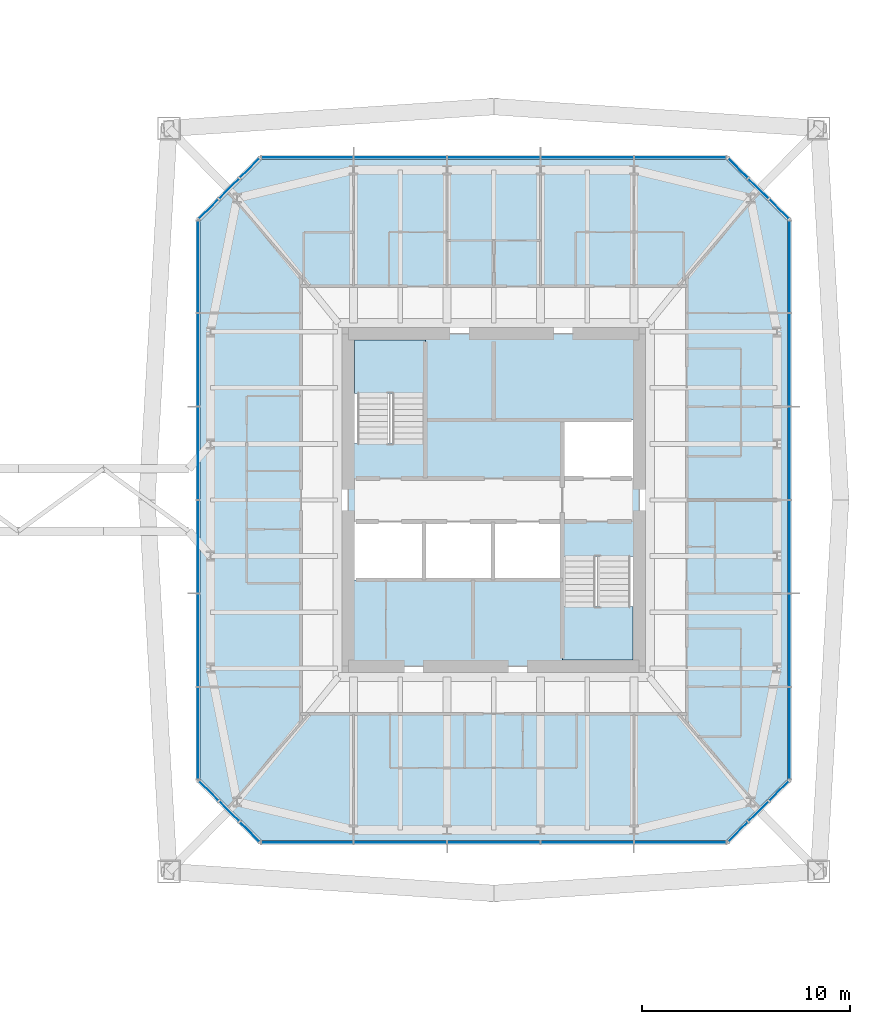
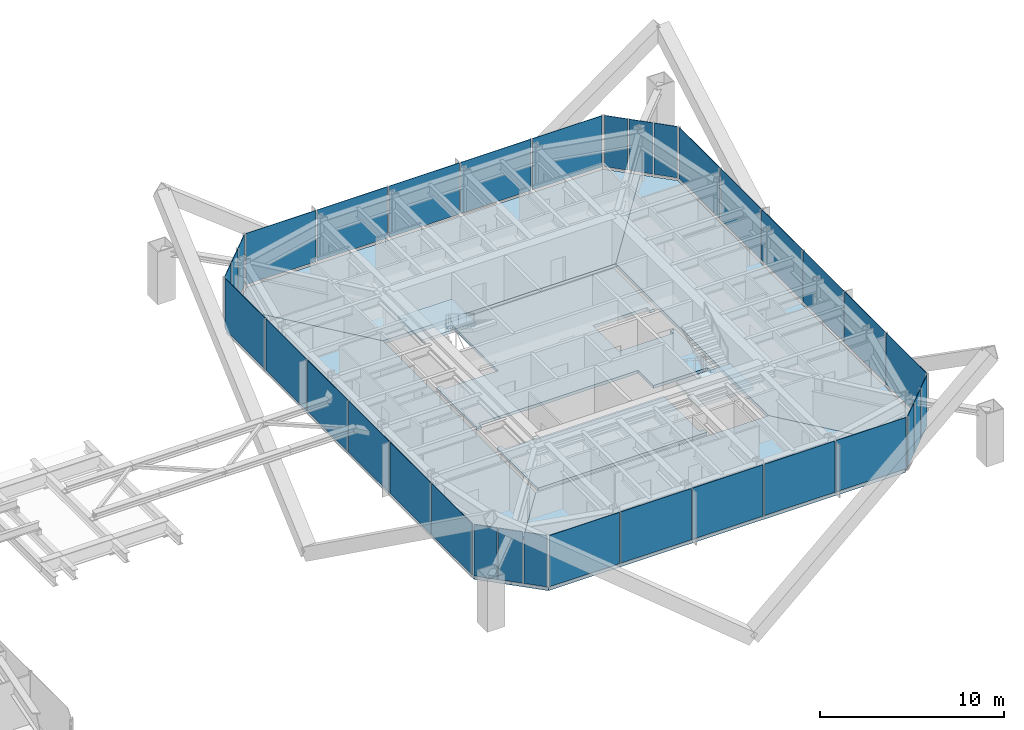
# One storey, part 14 of 27: 34 plates, 8 slabs, 10 elements without a shape of their own.
"""IFC4 building model written with IfcOpenShell, lengths in metres."""

from ifc_helpers import new_model, si_unit, direction, frame, origin, origin_2d, place, context, subcontext, project, spatial, polyline, rectangle, outline, extrude, material, layer, layer_set, constituent, constituent_set, type_object, element, aggregate, save


model = new_model("IFC4")

# Units and contexts
model_context = context("Model", 3, precision=1e-05, world=origin(), true_north=direction((0.0, 1.0)))
body_context = subcontext(model_context, "Body", "Model", "MODEL_VIEW")
ifc_project = project(units=[si_unit("LENGTHUNIT", "METRE"), si_unit("AREAUNIT", "SQUARE_METRE"), si_unit("VOLUMEUNIT", "CUBIC_METRE"), si_unit("PLANEANGLEUNIT", "RADIAN"), si_unit("MASSUNIT", "GRAM", prefix="KILO")], contexts=[model_context])

# Site, building, storey
site_placement = place(None, origin())
site = spatial("IfcSite", under=ifc_project, at=site_placement, CompositionType="ELEMENT")
building_placement = place(site_placement, origin())
building = spatial("IfcBuilding", under=site, at=building_placement, Name="Iwan Alto Co-Living Towers", CompositionType="ELEMENT")
storey_placement = place(building_placement, frame((0.0, 0.0, 94.5)))
storey = spatial("IfcBuildingStorey", under=building, at=storey_placement, Name="L25", CompositionType="ELEMENT", Elevation=94.5)

# Slabs
ifc_material_1 = material(Name="Concrete f'c 30 MPa", Category="concrete")
ifc_layer_1 = layer(ifc_material_1, 0.199951171875)
ifc_layer_set_1 = layer_set([ifc_layer_1], Name="CORE FLOOR SLAB 200")
slab_type_1 = type_object("IfcSlabType", Name="CORE FLOOR SLAB 200", PredefinedType="FLOOR", material=ifc_layer_set_1)
slab_1_placement = place(storey_placement, frame((0.0, 0.0, -0.199951171875)))
element("IfcSlab", 1, at=slab_1_placement, inside=storey, type_object=slab_type_1, Name="T2 core floor L25", PredefinedType="FLOOR", context=body_context, shape_type="SweptSolid", body=[
    extrude(outline(polyline([(70.0, -3.030029296875), (69.699951171875, -3.030029296875), (69.699951171875, -2.719970703125), (66.300048828125, -2.719970703125), (66.300048828125, -1.050048828125), (62.967041015625, -1.050048828125), (59.633056640625, -1.050048828125), (56.300048828125, -1.050048828125), (56.300048828125, -1.360107421875), (56.0, -1.360107421875), (56.0, 3.030029296875), (56.300048828125, 3.030029296875), (56.300048828125, 2.719970703125), (59.699951171875, 2.719970703125), (59.699951171875, 7.699951171875), (59.389892578125, 7.699951171875), (59.389892578125, 8.0), (70.0, 8.0), (70.0, 3.5400390625), (69.699951171875, 3.5400390625), (69.699951171875, 3.85009765625), (66.300048828125, 3.85009765625), (66.300048828125, 1.050048828125), (69.699951171875, 1.050048828125), (69.699951171875, 1.360107421875), (70.0, 1.360107421875), (70.0, -3.030029296875)])), origin(), (0.0, 0.0, 1.0), 0.199951171875),
])
slab_2_placement = place(storey_placement, frame((0.0, 0.0, -0.199951171875)))
element("IfcSlab", 2, at=slab_2_placement, inside=storey, type_object=slab_type_1, Name="T2 core floor L25", PredefinedType="FLOOR", context=body_context, shape_type="SweptSolid", body=[
    extrude(outline(polyline([(62.967041015625, -3.85009765625), (66.300048828125, -3.85009765625), (66.300048828125, -7.699951171875), (66.610107421875, -7.699951171875), (66.610107421875, -8.0), (56.0, -8.0), (56.0, -3.5400390625), (56.300048828125, -3.5400390625), (56.300048828125, -3.85009765625), (59.633056640625, -3.85009765625), (62.967041015625, -3.85009765625)])), origin(), (0.0, 0.0, 1.0), 0.199951171875),
])

# Curtain wall, plates
ifc_material_2 = material(Name="Bronze aluminium unitised frame", Category="aluminium")
curtain_wall_type_1 = type_object("IfcCurtainWallType", Name="CURTAIN WALL CW-C", PredefinedType="NOTDEFINED", material=ifc_material_2)
curtain_wall_1_placement = place(storey_placement, origin())
curtain_wall_1 = element("IfcCurtainWall", 3, at=curtain_wall_1_placement, inside=storey, type_object=curtain_wall_type_1, Name="T2 curtain wall S L25", PredefinedType="NOTDEFINED")
ifc_material_3 = material(Name="Bronze-tinted insulating glass", Category="glass")
ifc_layer_2 = layer(ifc_material_3, 0.031982421875)
ifc_layer_set_2 = layer_set([ifc_layer_2], Name="CW-C PANEL TINTED IGU 32")
plate_type_1 = type_object("IfcPlateType", Name="CW-C PANEL TINTED IGU 32", PredefinedType="CURTAIN_PANEL", material=ifc_layer_set_2)
plate_1_placement = place(storey_placement, frame((58.5, -16.5, 0.10009765625), z_axis=(0.0, 0.0, 1.0), x_axis=(1.0, 0.0, 0.0)))
plate_1 = element("IfcPlate", 4, at=plate_1_placement, type_object=plate_type_1, Name="CW-C panel 2.1", PredefinedType="CURTAIN_PANEL", context=body_context, shape_type="SweptSolid", body=[
    extrude(rectangle(XDim=4.419921875, YDim=0.031982421875, at=origin_2d()), origin(), (0.0, 0.0, 1.0), 3.39990234375),
])
plate_2_placement = place(storey_placement, frame((63.0, -16.5, 0.10009765625), z_axis=(0.0, 0.0, 1.0), x_axis=(1.0, 0.0, 0.0)))
plate_2 = element("IfcPlate", 5, at=plate_2_placement, type_object=plate_type_1, Name="CW-C panel 3.1", PredefinedType="CURTAIN_PANEL", context=body_context, shape_type="SweptSolid", body=[
    extrude(rectangle(XDim=4.419921875, YDim=0.031982421875, at=origin_2d()), origin(), (0.0, 0.0, 1.0), 3.39990234375),
])
plate_3_placement = place(storey_placement, frame((67.5, -16.5, 0.10009765625), z_axis=(0.0, 0.0, 1.0), x_axis=(1.0, 0.0, 0.0)))
plate_3 = element("IfcPlate", 6, at=plate_3_placement, type_object=plate_type_1, Name="CW-C panel 4.1", PredefinedType="CURTAIN_PANEL", context=body_context, shape_type="SweptSolid", body=[
    extrude(rectangle(XDim=4.419921875, YDim=0.031982421875, at=origin_2d()), origin(), (0.0, 0.0, 1.0), 3.39990234375),
])

curtain_wall_2_placement = place(storey_placement, origin())
curtain_wall_2 = element("IfcCurtainWall", 7, at=curtain_wall_2_placement, inside=storey, type_object=curtain_wall_type_1, Name="T2 curtain wall E L25", PredefinedType="NOTDEFINED")
plate_4_placement = place(storey_placement, frame((77.25, -6.75, 0.10009765625), z_axis=(0.0, 0.0, 1.0), x_axis=(0.0, 1.0, 0.0)))
plate_4 = element("IfcPlate", 8, at=plate_4_placement, type_object=plate_type_1, Name="CW-C panel 2.1", PredefinedType="CURTAIN_PANEL", context=body_context, shape_type="SweptSolid", body=[
    extrude(rectangle(XDim=4.419921875, YDim=0.031982421875, at=origin_2d()), origin(), (0.0, 0.0, 1.0), 3.39990234375),
])
plate_5_placement = place(storey_placement, frame((77.25, -2.25, 0.10009765625), z_axis=(0.0, 0.0, 1.0), x_axis=(0.0, 1.0, 0.0)))
plate_5 = element("IfcPlate", 9, at=plate_5_placement, type_object=plate_type_1, Name="CW-C panel 3.1", PredefinedType="CURTAIN_PANEL", context=body_context, shape_type="SweptSolid", body=[
    extrude(rectangle(XDim=4.419921875, YDim=0.031982421875, at=origin_2d()), origin(), (0.0, 0.0, 1.0), 3.39990234375),
])
plate_6_placement = place(storey_placement, frame((77.25, 2.25, 0.10009765625), z_axis=(0.0, 0.0, 1.0), x_axis=(0.0, 1.0, 0.0)))
plate_6 = element("IfcPlate", 10, at=plate_6_placement, type_object=plate_type_1, Name="CW-C panel 4.1", PredefinedType="CURTAIN_PANEL", context=body_context, shape_type="SweptSolid", body=[
    extrude(rectangle(XDim=4.419921875, YDim=0.031982421875, at=origin_2d()), origin(), (0.0, 0.0, 1.0), 3.39990234375),
])
plate_7_placement = place(storey_placement, frame((77.25, 6.75, 0.10009765625), z_axis=(0.0, 0.0, 1.0), x_axis=(0.0, 1.0, 0.0)))
plate_7 = element("IfcPlate", 11, at=plate_7_placement, type_object=plate_type_1, Name="CW-C panel 5.1", PredefinedType="CURTAIN_PANEL", context=body_context, shape_type="SweptSolid", body=[
    extrude(rectangle(XDim=4.419921875, YDim=0.031982421875, at=origin_2d()), origin(), (0.0, 0.0, 1.0), 3.39990234375),
])

curtain_wall_3_placement = place(storey_placement, origin())
curtain_wall_3 = element("IfcCurtainWall", 12, at=curtain_wall_3_placement, inside=storey, type_object=curtain_wall_type_1, Name="T2 curtain wall N L25", PredefinedType="NOTDEFINED")
plate_8_placement = place(storey_placement, frame((67.5, 16.5, 0.10009765625), z_axis=(0.0, 0.0, 1.0), x_axis=(-1.0, 0.0, 0.0)))
plate_8 = element("IfcPlate", 13, at=plate_8_placement, type_object=plate_type_1, Name="CW-C panel 2.1", PredefinedType="CURTAIN_PANEL", context=body_context, shape_type="SweptSolid", body=[
    extrude(rectangle(XDim=4.419921875, YDim=0.031982421875, at=origin_2d()), origin(), (0.0, 0.0, 1.0), 3.39990234375),
])
plate_9_placement = place(storey_placement, frame((63.0, 16.5, 0.10009765625), z_axis=(0.0, 0.0, 1.0), x_axis=(-1.0, 0.0, 0.0)))
plate_9 = element("IfcPlate", 14, at=plate_9_placement, type_object=plate_type_1, Name="CW-C panel 3.1", PredefinedType="CURTAIN_PANEL", context=body_context, shape_type="SweptSolid", body=[
    extrude(rectangle(XDim=4.419921875, YDim=0.031982421875, at=origin_2d()), origin(), (0.0, 0.0, 1.0), 3.39990234375),
])
plate_10_placement = place(storey_placement, frame((58.5, 16.5, 0.10009765625), z_axis=(0.0, 0.0, 1.0), x_axis=(-1.0, 0.0, 0.0)))
plate_10 = element("IfcPlate", 15, at=plate_10_placement, type_object=plate_type_1, Name="CW-C panel 4.1", PredefinedType="CURTAIN_PANEL", context=body_context, shape_type="SweptSolid", body=[
    extrude(rectangle(XDim=4.419921875, YDim=0.031982421875, at=origin_2d()), origin(), (0.0, 0.0, 1.0), 3.39990234375),
])

curtain_wall_4_placement = place(storey_placement, origin())
curtain_wall_4 = element("IfcCurtainWall", 16, at=curtain_wall_4_placement, inside=storey, type_object=curtain_wall_type_1, Name="T2 curtain wall W L25", PredefinedType="NOTDEFINED")
plate_11_placement = place(storey_placement, frame((48.75, 6.75, 0.10009765625), z_axis=(0.0, 0.0, 1.0), x_axis=(0.0, -1.0, 0.0)))
plate_11 = element("IfcPlate", 17, at=plate_11_placement, type_object=plate_type_1, Name="CW-C panel 2.1", PredefinedType="CURTAIN_PANEL", context=body_context, shape_type="SweptSolid", body=[
    extrude(rectangle(XDim=4.419921875, YDim=0.031982421875, at=origin_2d()), origin(), (0.0, 0.0, 1.0), 3.39990234375),
])
plate_12_placement = place(storey_placement, frame((48.75, 2.25, 0.10009765625), z_axis=(0.0, 0.0, 1.0), x_axis=(0.0, -1.0, 0.0)))
plate_12 = element("IfcPlate", 18, at=plate_12_placement, type_object=plate_type_1, Name="CW-C panel 3.1", PredefinedType="CURTAIN_PANEL", context=body_context, shape_type="SweptSolid", body=[
    extrude(rectangle(XDim=4.419921875, YDim=0.031982421875, at=origin_2d()), origin(), (0.0, 0.0, 1.0), 3.39990234375),
])
plate_13_placement = place(storey_placement, frame((48.75, -2.25, 0.10009765625), z_axis=(0.0, 0.0, 1.0), x_axis=(0.0, -1.0, 0.0)))
plate_13 = element("IfcPlate", 19, at=plate_13_placement, type_object=plate_type_1, Name="CW-C panel 4.1", PredefinedType="CURTAIN_PANEL", context=body_context, shape_type="SweptSolid", body=[
    extrude(rectangle(XDim=4.419921875, YDim=0.031982421875, at=origin_2d()), origin(), (0.0, 0.0, 1.0), 3.39990234375),
])
plate_14_placement = place(storey_placement, frame((48.75, -6.75, 0.10009765625), z_axis=(0.0, 0.0, 1.0), x_axis=(0.0, -1.0, 0.0)))
plate_14 = element("IfcPlate", 20, at=plate_14_placement, type_object=plate_type_1, Name="CW-C panel 5.1", PredefinedType="CURTAIN_PANEL", context=body_context, shape_type="SweptSolid", body=[
    extrude(rectangle(XDim=4.419921875, YDim=0.031982421875, at=origin_2d()), origin(), (0.0, 0.0, 1.0), 3.39990234375),
])

# Plate
ifc_material_4 = material(Name="Insulated bronze aluminium spandrel panel", Category="aluminium")
ifc_layer_3 = layer(ifc_material_4, 0.031982421875)
ifc_layer_set_3 = layer_set([ifc_layer_3], Name="CW-C SPANDREL PANEL 32")
plate_type_2 = type_object("IfcPlateType", Name="CW-C SPANDREL PANEL 32", PredefinedType="CURTAIN_PANEL", material=ifc_layer_set_3)
plate_15_placement = place(storey_placement, frame((54.02001953125, -16.5, 0.10009765625), z_axis=(0.0, 0.0, 1.0), x_axis=(1.0, 0.0, 0.0)))
plate_15 = element("IfcPlate", 21, at=plate_15_placement, type_object=plate_type_2, Name="CW-C spandrel panel 1.1 (braced bay)", PredefinedType="CURTAIN_PANEL", context=body_context, shape_type="SweptSolid", body=[
    extrude(rectangle(XDim=4.3798828125, YDim=0.031982421875, at=origin_2d()), origin(), (0.0, 0.0, 1.0), 3.39990234375),
])

plate_16_placement = place(storey_placement, frame((71.97998046875, -16.5, 0.10009765625), z_axis=(0.0, 0.0, 1.0), x_axis=(1.0, 0.0, 0.0)))
plate_16 = element("IfcPlate", 22, at=plate_16_placement, type_object=plate_type_2, Name="CW-C spandrel panel 5.1 (braced bay)", PredefinedType="CURTAIN_PANEL", context=body_context, shape_type="SweptSolid", body=[
    extrude(rectangle(XDim=4.3798828125, YDim=0.031982421875, at=origin_2d()), origin(), (0.0, 0.0, 1.0), 3.39990234375),
])

aggregate(curtain_wall_1, [plate_1, plate_2, plate_3, plate_15, plate_16])

plate_17_placement = place(storey_placement, frame((77.25, -11.22998046875, 0.10009765625), z_axis=(0.0, 0.0, 1.0), x_axis=(0.0, 1.0, 0.0)))
plate_17 = element("IfcPlate", 23, at=plate_17_placement, type_object=plate_type_2, Name="CW-C spandrel panel 1.1 (braced bay)", PredefinedType="CURTAIN_PANEL", context=body_context, shape_type="SweptSolid", body=[
    extrude(rectangle(XDim=4.3798828125, YDim=0.031982421875, at=origin_2d()), origin(), (0.0, 0.0, 1.0), 3.39990234375),
])

plate_18_placement = place(storey_placement, frame((77.25, 11.22998046875, 0.10009765625), z_axis=(0.0, 0.0, 1.0), x_axis=(0.0, 1.0, 0.0)))
plate_18 = element("IfcPlate", 24, at=plate_18_placement, type_object=plate_type_2, Name="CW-C spandrel panel 6.1 (braced bay)", PredefinedType="CURTAIN_PANEL", context=body_context, shape_type="SweptSolid", body=[
    extrude(rectangle(XDim=4.3798828125, YDim=0.031982421875, at=origin_2d()), origin(), (0.0, 0.0, 1.0), 3.39990234375),
])

aggregate(curtain_wall_2, [plate_4, plate_5, plate_6, plate_7, plate_17, plate_18])

plate_19_placement = place(storey_placement, frame((71.97998046875, 16.5, 0.10009765625), z_axis=(0.0, 0.0, 1.0), x_axis=(-1.0, 0.0, 0.0)))
plate_19 = element("IfcPlate", 25, at=plate_19_placement, type_object=plate_type_2, Name="CW-C spandrel panel 1.1 (braced bay)", PredefinedType="CURTAIN_PANEL", context=body_context, shape_type="SweptSolid", body=[
    extrude(rectangle(XDim=4.3798828125, YDim=0.031982421875, at=origin_2d()), origin(), (0.0, 0.0, 1.0), 3.39990234375),
])

plate_20_placement = place(storey_placement, frame((54.02001953125, 16.5, 0.10009765625), z_axis=(0.0, 0.0, 1.0), x_axis=(-1.0, 0.0, 0.0)))
plate_20 = element("IfcPlate", 26, at=plate_20_placement, type_object=plate_type_2, Name="CW-C spandrel panel 5.1 (braced bay)", PredefinedType="CURTAIN_PANEL", context=body_context, shape_type="SweptSolid", body=[
    extrude(rectangle(XDim=4.3798828125, YDim=0.031982421875, at=origin_2d()), origin(), (0.0, 0.0, 1.0), 3.39990234375),
])

aggregate(curtain_wall_3, [plate_8, plate_9, plate_10, plate_19, plate_20])

plate_21_placement = place(storey_placement, frame((48.75, 11.22998046875, 0.10009765625), z_axis=(0.0, 0.0, 1.0), x_axis=(0.0, -1.0, 0.0)))
plate_21 = element("IfcPlate", 27, at=plate_21_placement, type_object=plate_type_2, Name="CW-C spandrel panel 1.1 (braced bay)", PredefinedType="CURTAIN_PANEL", context=body_context, shape_type="SweptSolid", body=[
    extrude(rectangle(XDim=4.3798828125, YDim=0.031982421875, at=origin_2d()), origin(), (0.0, 0.0, 1.0), 3.39990234375),
])

plate_22_placement = place(storey_placement, frame((48.75, -11.22998046875, 0.10009765625), z_axis=(0.0, 0.0, 1.0), x_axis=(0.0, -1.0, 0.0)))
plate_22 = element("IfcPlate", 28, at=plate_22_placement, type_object=plate_type_2, Name="CW-C spandrel panel 6.1 (braced bay)", PredefinedType="CURTAIN_PANEL", context=body_context, shape_type="SweptSolid", body=[
    extrude(rectangle(XDim=4.3798828125, YDim=0.031982421875, at=origin_2d()), origin(), (0.0, 0.0, 1.0), 3.39990234375),
])

aggregate(curtain_wall_4, [plate_11, plate_12, plate_13, plate_14, plate_21, plate_22])

# Curtain wall, plates
ifc_material_5 = material(Name="Bronze aluminium unitised frame", Category="aluminium")
curtain_wall_type_2 = type_object("IfcCurtainWallType", Name="CURTAIN WALL CW-D", PredefinedType="NOTDEFINED", material=ifc_material_5)
curtain_wall_5_placement = place(storey_placement, origin())
curtain_wall_5 = element("IfcCurtainWall", 29, at=curtain_wall_5_placement, inside=storey, type_object=curtain_wall_type_2, Name="T2 chamfer curtain wall SE L25", PredefinedType="NOTDEFINED")
ifc_material_6 = material(Name="Bronze-tinted insulating glass", Category="glass")
ifc_layer_4 = layer(ifc_material_6, 0.031982421875)
ifc_layer_set_4 = layer_set([ifc_layer_4], Name="CW-D PANEL TINTED IGU 32")
plate_type_3 = type_object("IfcPlateType", Name="CW-D PANEL TINTED IGU 32", PredefinedType="CURTAIN_PANEL", material=ifc_layer_set_4)
plate_23_placement = place(storey_placement, frame((74.76416015625, -15.98583984375, 0.10009765625), z_axis=(0.0, 0.0, 1.0), x_axis=(0.707106781187, 0.707106781187, 0.0)))
plate_23 = element("IfcPlate", 30, at=plate_23_placement, type_object=plate_type_3, Name="CW-D panel 1.1", PredefinedType="CURTAIN_PANEL", context=body_context, shape_type="SweptSolid", body=[
    extrude(rectangle(XDim=1.294189453125, YDim=0.031982421875, at=origin_2d()), origin(), (0.0, 0.0, 1.0), 3.39990234375),
])
plate_24_placement = place(storey_placement, frame((75.75, -15.0, 0.10009765625), z_axis=(0.0, 0.0, 1.0), x_axis=(0.707106781187, 0.707106781187, 0.0)))
plate_24 = element("IfcPlate", 31, at=plate_24_placement, type_object=plate_type_3, Name="CW-D panel 2.1", PredefinedType="CURTAIN_PANEL", context=body_context, shape_type="SweptSolid", body=[
    extrude(rectangle(XDim=1.334228515625, YDim=0.031982421875, at=origin_2d()), origin(), (0.0, 0.0, 1.0), 3.39990234375),
])
plate_25_placement = place(storey_placement, frame((76.73583984375, -14.01416015625, 0.10009765625), z_axis=(0.0, 0.0, 1.0), x_axis=(0.707106781187, 0.707106781187, 0.0)))
plate_25 = element("IfcPlate", 32, at=plate_25_placement, type_object=plate_type_3, Name="CW-D panel 3.1", PredefinedType="CURTAIN_PANEL", context=body_context, shape_type="SweptSolid", body=[
    extrude(rectangle(XDim=1.294189453125, YDim=0.031982421875, at=origin_2d()), origin(), (0.0, 0.0, 1.0), 3.39990234375),
])
aggregate(curtain_wall_5, [plate_23, plate_24, plate_25])

curtain_wall_6_placement = place(storey_placement, origin())
curtain_wall_6 = element("IfcCurtainWall", 33, at=curtain_wall_6_placement, inside=storey, type_object=curtain_wall_type_2, Name="T2 chamfer curtain wall NE L25", PredefinedType="NOTDEFINED")
plate_26_placement = place(storey_placement, frame((76.73583984375, 14.01416015625, 0.10009765625), z_axis=(0.0, 0.0, 1.0), x_axis=(-0.707106781187, 0.707106781187, 0.0)))
plate_26 = element("IfcPlate", 34, at=plate_26_placement, type_object=plate_type_3, Name="CW-D panel 1.1", PredefinedType="CURTAIN_PANEL", context=body_context, shape_type="SweptSolid", body=[
    extrude(rectangle(XDim=1.294189453125, YDim=0.031982421875, at=origin_2d()), origin(), (0.0, 0.0, 1.0), 3.39990234375),
])
plate_27_placement = place(storey_placement, frame((75.75, 15.0, 0.10009765625), z_axis=(0.0, 0.0, 1.0), x_axis=(-0.707106781187, 0.707106781187, 0.0)))
plate_27 = element("IfcPlate", 35, at=plate_27_placement, type_object=plate_type_3, Name="CW-D panel 2.1", PredefinedType="CURTAIN_PANEL", context=body_context, shape_type="SweptSolid", body=[
    extrude(rectangle(XDim=1.334228515625, YDim=0.031982421875, at=origin_2d()), origin(), (0.0, 0.0, 1.0), 3.39990234375),
])
plate_28_placement = place(storey_placement, frame((74.76416015625, 15.98583984375, 0.10009765625), z_axis=(0.0, 0.0, 1.0), x_axis=(-0.707106781187, 0.707106781187, 0.0)))
plate_28 = element("IfcPlate", 36, at=plate_28_placement, type_object=plate_type_3, Name="CW-D panel 3.1", PredefinedType="CURTAIN_PANEL", context=body_context, shape_type="SweptSolid", body=[
    extrude(rectangle(XDim=1.294189453125, YDim=0.031982421875, at=origin_2d()), origin(), (0.0, 0.0, 1.0), 3.39990234375),
])
aggregate(curtain_wall_6, [plate_26, plate_27, plate_28])

curtain_wall_7_placement = place(storey_placement, origin())
curtain_wall_7 = element("IfcCurtainWall", 37, at=curtain_wall_7_placement, inside=storey, type_object=curtain_wall_type_2, Name="T2 chamfer curtain wall NW L25", PredefinedType="NOTDEFINED")
plate_29_placement = place(storey_placement, frame((51.23583984375, 15.98583984375, 0.10009765625), z_axis=(0.0, 0.0, 1.0), x_axis=(-0.707106781187, -0.707106781187, 0.0)))
plate_29 = element("IfcPlate", 38, at=plate_29_placement, type_object=plate_type_3, Name="CW-D panel 1.1", PredefinedType="CURTAIN_PANEL", context=body_context, shape_type="SweptSolid", body=[
    extrude(rectangle(XDim=1.294189453125, YDim=0.031982421875, at=origin_2d()), origin(), (0.0, 0.0, 1.0), 3.39990234375),
])
plate_30_placement = place(storey_placement, frame((50.25, 15.0, 0.10009765625), z_axis=(0.0, 0.0, 1.0), x_axis=(-0.707106781187, -0.707106781187, 0.0)))
plate_30 = element("IfcPlate", 39, at=plate_30_placement, type_object=plate_type_3, Name="CW-D panel 2.1", PredefinedType="CURTAIN_PANEL", context=body_context, shape_type="SweptSolid", body=[
    extrude(rectangle(XDim=1.334228515625, YDim=0.031982421875, at=origin_2d()), origin(), (0.0, 0.0, 1.0), 3.39990234375),
])
plate_31_placement = place(storey_placement, frame((49.26416015625, 14.01416015625, 0.10009765625), z_axis=(0.0, 0.0, 1.0), x_axis=(-0.707106781187, -0.707106781187, 0.0)))
plate_31 = element("IfcPlate", 40, at=plate_31_placement, type_object=plate_type_3, Name="CW-D panel 3.1", PredefinedType="CURTAIN_PANEL", context=body_context, shape_type="SweptSolid", body=[
    extrude(rectangle(XDim=1.294189453125, YDim=0.031982421875, at=origin_2d()), origin(), (0.0, 0.0, 1.0), 3.39990234375),
])
aggregate(curtain_wall_7, [plate_29, plate_30, plate_31])

curtain_wall_8_placement = place(storey_placement, origin())
curtain_wall_8 = element("IfcCurtainWall", 41, at=curtain_wall_8_placement, inside=storey, type_object=curtain_wall_type_2, Name="T2 chamfer curtain wall SW L25", PredefinedType="NOTDEFINED")
plate_32_placement = place(storey_placement, frame((49.26416015625, -14.01416015625, 0.10009765625), z_axis=(0.0, 0.0, 1.0), x_axis=(0.707106781187, -0.707106781187, 0.0)))
plate_32 = element("IfcPlate", 42, at=plate_32_placement, type_object=plate_type_3, Name="CW-D panel 1.1", PredefinedType="CURTAIN_PANEL", context=body_context, shape_type="SweptSolid", body=[
    extrude(rectangle(XDim=1.294189453125, YDim=0.031982421875, at=origin_2d()), origin(), (0.0, 0.0, 1.0), 3.39990234375),
])
plate_33_placement = place(storey_placement, frame((50.25, -15.0, 0.10009765625), z_axis=(0.0, 0.0, 1.0), x_axis=(0.707106781187, -0.707106781187, 0.0)))
plate_33 = element("IfcPlate", 43, at=plate_33_placement, type_object=plate_type_3, Name="CW-D panel 2.1", PredefinedType="CURTAIN_PANEL", context=body_context, shape_type="SweptSolid", body=[
    extrude(rectangle(XDim=1.334228515625, YDim=0.031982421875, at=origin_2d()), origin(), (0.0, 0.0, 1.0), 3.39990234375),
])
plate_34_placement = place(storey_placement, frame((51.23583984375, -15.98583984375, 0.10009765625), z_axis=(0.0, 0.0, 1.0), x_axis=(0.707106781187, -0.707106781187, 0.0)))
plate_34 = element("IfcPlate", 44, at=plate_34_placement, type_object=plate_type_3, Name="CW-D panel 3.1", PredefinedType="CURTAIN_PANEL", context=body_context, shape_type="SweptSolid", body=[
    extrude(rectangle(XDim=1.294189453125, YDim=0.031982421875, at=origin_2d()), origin(), (0.0, 0.0, 1.0), 3.39990234375),
])
aggregate(curtain_wall_8, [plate_32, plate_33, plate_34])

# Stair, slab
ifc_material_7 = material(Name="Steel ASTM A36", Category="steel")
ifc_constituent_1 = constituent(ifc_material_7, Name="Stringers", Category="LoadBearing")
ifc_material_8 = material(Name="Concrete f'c 30 MPa", Category="concrete")
ifc_constituent_2 = constituent(ifc_material_8, Name="Tread fill", Category="Finish")
ifc_constituent_set = constituent_set(constituents=[ifc_constituent_1, ifc_constituent_2], Name="STAIR 3500 TWO-FLIGHT T2 CORE")
stair_type = type_object("IfcStairType", Name="STAIR 3500 TWO-FLIGHT T2 CORE", PredefinedType="HALF_TURN_STAIR", material=ifc_constituent_set)
stair_1_placement = place(storey_placement, origin())
stair_1 = element("IfcStair", 45, at=stair_1_placement, inside=storey, type_object=stair_type, Name="Stair T2-S1 L25 to L26", PredefinedType="HALF_TURN_STAIR")
ifc_material_9 = material(Name="Concrete f'c 30 MPa", Category="concrete")
ifc_layer_5 = layer(ifc_material_9, 0.199951171875)
ifc_layer_set_5 = layer_set([ifc_layer_5], Name="STAIR LANDING 200")
slab_type_2 = type_object("IfcSlabType", Name="STAIR LANDING 200", PredefinedType="LANDING", material=ifc_layer_set_5)
slab_3_placement = place(storey_placement, frame((0.0, 0.0, 1.550048828125)))
slab_3 = element("IfcSlab", 46, at=slab_3_placement, type_object=slab_type_2, Name="T2-S1 landing 1", PredefinedType="LANDING", context=body_context, shape_type="SweptSolid", body=[
    extrude(outline(polyline([(56.300048828125, 5.139892578125), (56.300048828125, 7.699951171875), (59.699951171875, 7.699951171875), (59.699951171875, 5.139892578125), (56.300048828125, 5.139892578125)])), origin(), (0.0, 0.0, 1.0), 0.199951171875),
])
aggregate(stair_1, [slab_3])

stair_2_placement = place(storey_placement, origin())
stair_2 = element("IfcStair", 47, at=stair_2_placement, inside=storey, type_object=stair_type, Name="Stair T2-S2 L25 to L26", PredefinedType="HALF_TURN_STAIR")
slab_4_placement = place(storey_placement, frame((0.0, 0.0, 1.550048828125)))
slab_4 = element("IfcSlab", 48, at=slab_4_placement, type_object=slab_type_2, Name="T2-S2 landing 1", PredefinedType="LANDING", context=body_context, shape_type="SweptSolid", body=[
    extrude(outline(polyline([(66.300048828125, -5.139892578125), (66.300048828125, -7.699951171875), (69.699951171875, -7.699951171875), (69.699951171875, -5.139892578125), (66.300048828125, -5.139892578125)])), origin(), (0.0, 0.0, 1.0), 0.199951171875),
])
aggregate(stair_2, [slab_4])

# Slabs
ifc_material_10 = material(Name="Concrete f'c 30 MPa", Category="concrete")
ifc_layer_6 = layer(ifc_material_10, 0.22998046875)
ifc_layer_set_6 = layer_set([ifc_layer_6], Name="T2 FLOOR SLAB 230")
slab_type_3 = type_object("IfcSlabType", Name="T2 FLOOR SLAB 230", PredefinedType="FLOOR", material=ifc_layer_set_6)
slab_5_placement = place(storey_placement, frame((0.0, 0.0, -0.22998046875)))
element("IfcSlab", 49, at=slab_5_placement, inside=storey, type_object=slab_type_3, Name="T2 floor slab L25 S pour", PredefinedType="FLOOR", context=body_context, shape_type="SweptSolid", body=[
    extrude(outline(polyline([(74.19140625, -16.39990234375), (51.80859375, -16.39990234375), (50.330810546875, -14.92236328125), (55.699951171875, -8.300048828125), (70.300048828125, -8.300048828125), (75.669189453125, -14.92236328125), (74.19140625, -16.39990234375)])), origin(), (0.0, 0.0, 1.0), 0.22998046875),
])
slab_6_placement = place(storey_placement, frame((0.0, 0.0, -0.22998046875)))
element("IfcSlab", 50, at=slab_6_placement, inside=storey, type_object=slab_type_3, Name="T2 floor slab L25 E pour", PredefinedType="FLOOR", context=body_context, shape_type="SweptSolid", body=[
    extrude(outline(polyline([(77.14990234375, 13.44140625), (77.14990234375, -13.44140625), (75.669189453125, -14.92236328125), (70.300048828125, -8.300048828125), (70.300048828125, 8.300048828125), (75.669189453125, 14.92236328125), (77.14990234375, 13.44140625)])), origin(), (0.0, 0.0, 1.0), 0.22998046875),
])
slab_7_placement = place(storey_placement, frame((0.0, 0.0, -0.22998046875)))
element("IfcSlab", 51, at=slab_7_placement, inside=storey, type_object=slab_type_3, Name="T2 floor slab L25 N pour", PredefinedType="FLOOR", context=body_context, shape_type="SweptSolid", body=[
    extrude(outline(polyline([(51.80859375, 16.39990234375), (74.19140625, 16.39990234375), (75.669189453125, 14.92236328125), (70.300048828125, 8.300048828125), (55.699951171875, 8.300048828125), (50.330810546875, 14.92236328125), (51.80859375, 16.39990234375)])), origin(), (0.0, 0.0, 1.0), 0.22998046875),
])
slab_8_placement = place(storey_placement, frame((0.0, 0.0, -0.22998046875)))
element("IfcSlab", 52, at=slab_8_placement, inside=storey, type_object=slab_type_3, Name="T2 floor slab L25 W pour", PredefinedType="FLOOR", context=body_context, shape_type="SweptSolid", body=[
    extrude(outline(polyline([(48.85009765625, 13.44140625), (50.330810546875, 14.92236328125), (55.699951171875, 8.300048828125), (55.699951171875, -8.300048828125), (50.330810546875, -14.92236328125), (48.85009765625, -13.44140625), (48.85009765625, 13.44140625)])), origin(), (0.0, 0.0, 1.0), 0.22998046875),
])

save(model, "model.ifc")
